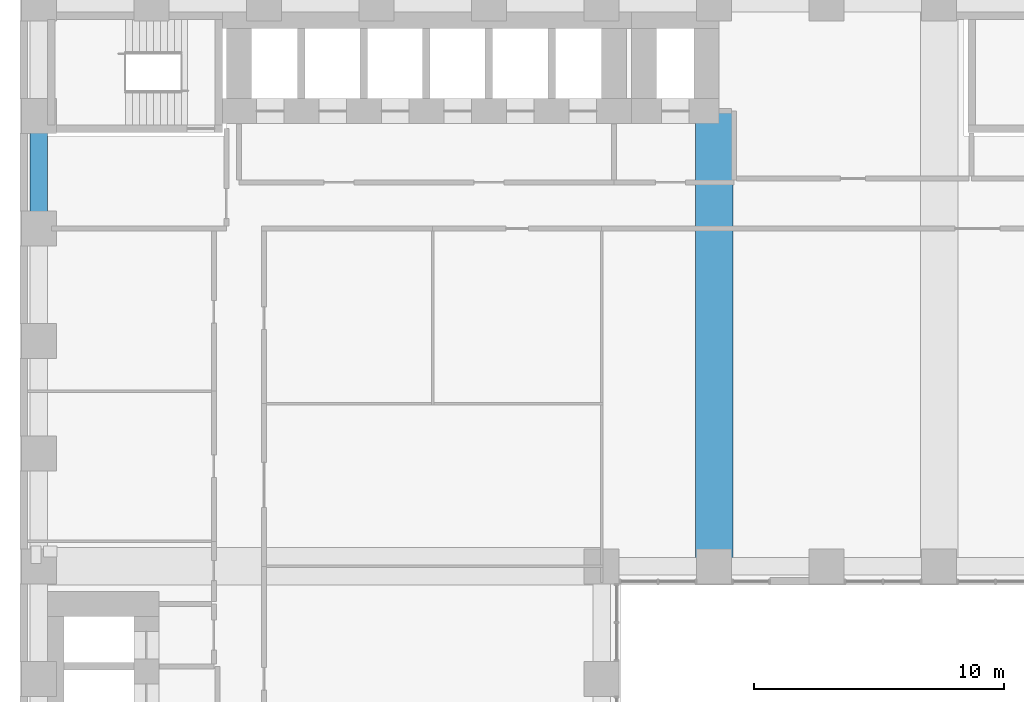
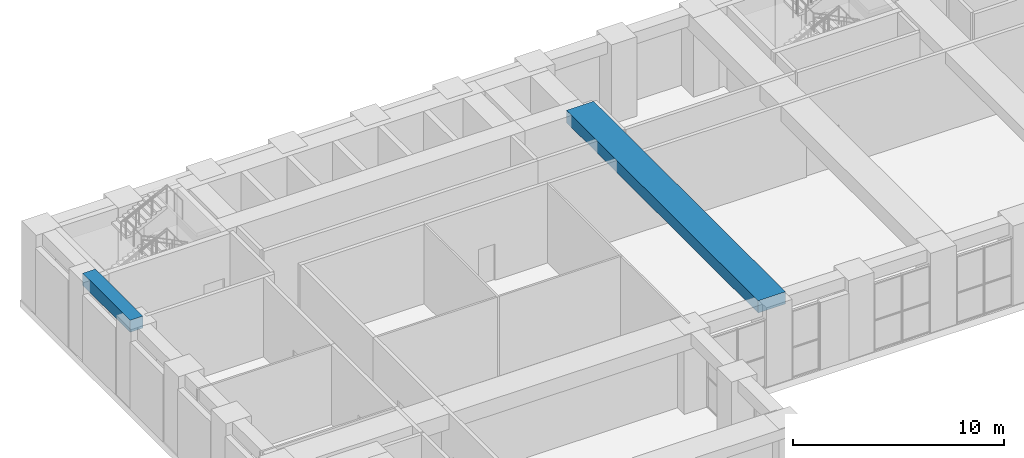
# One storey, part 5 of 34: 2 beams.
"""IFC4 building model written with IfcOpenShell, lengths in metres."""

from ifc_helpers import new_model, si_unit, direction, frame, origin, origin_2d, place, context, subcontext, project, spatial, rectangle, extrude, material, material_profile, profile_set, type_object, element, save


model = new_model("IFC4")

# Units and contexts
model_context = context("Model", 3, precision=1e-05, world=origin(), true_north=direction((0.0, 1.0)))
body_context = subcontext(model_context, "Body", "Model", "MODEL_VIEW")
ifc_project = project(units=[si_unit("LENGTHUNIT", "METRE"), si_unit("AREAUNIT", "SQUARE_METRE"), si_unit("VOLUMEUNIT", "CUBIC_METRE"), si_unit("PLANEANGLEUNIT", "RADIAN"), si_unit("MASSUNIT", "GRAM", prefix="KILO")], contexts=[model_context])

# Site, building, storey
site_placement = place(None, origin())
site = spatial("IfcSite", under=ifc_project, at=site_placement, CompositionType="ELEMENT")
building_placement = place(site_placement, origin())
building = spatial("IfcBuilding", under=site, at=building_placement, Name="Firuza Court", CompositionType="ELEMENT")
storey_placement = place(building_placement, frame((0.0, 0.0, 14.0)))
storey = spatial("IfcBuildingStorey", under=building, at=storey_placement, Name="L02", CompositionType="ELEMENT", Elevation=14.0)

# Beams
ifc_material_1 = material(Name="Concrete C40/50", Category="concrete")
ifc_material_profile_1 = material_profile(ifc_material_1, rectangle(XDim=1.5, YDim=0.699951171875, at=origin_2d()), Name="RC 1500x700")
ifc_profile_set_1 = profile_set([ifc_material_profile_1], Name="Concrete C40/50")
beam_type_1 = type_object("IfcBeamType", Name="Band beam RC 1500x700 C40/50", PredefinedType="BEAM", material=ifc_profile_set_1)
beam_1_placement = place(storey_placement, frame((27.0, 36.0, 4.25), z_axis=(0.0, 1.0, 0.0), x_axis=(-1.0, 0.0, 0.0)))
element("IfcBeam", 1, at=beam_1_placement, inside=storey, type_object=beam_type_1, Name="Band beam FB1 level L03", PredefinedType="BEAM", context=body_context, shape_type="SweptSolid", body=[
    extrude(rectangle(XDim=1.5, YDim=0.699951171875, at=origin_2d()), origin(), (0.0, 0.0, 1.0), 18.199951171875),
])
ifc_material_2 = material(Name="Concrete C40/50", Category="concrete")
ifc_material_profile_2 = material_profile(ifc_material_2, rectangle(XDim=0.699951171875, YDim=0.699951171875, at=origin_2d()), Name="RC 700x700")
ifc_profile_set_2 = profile_set([ifc_material_profile_2], Name="Concrete C40/50")
beam_type_2 = type_object("IfcBeamType", Name="Spandrel beam RC 700x700 C40/50", PredefinedType="BEAM", material=ifc_profile_set_2)
beam_2_placement = place(storey_placement, frame((0.0, 54.0, 4.25), z_axis=(0.0, -1.0, 0.0), x_axis=(1.0, 0.0, 0.0)))
element("IfcBeam", 2, at=beam_2_placement, inside=storey, type_object=beam_type_2, Name="Spandrel beam SP8 level L03", PredefinedType="BEAM", context=body_context, shape_type="SweptSolid", body=[
    extrude(rectangle(XDim=0.699951171875, YDim=0.699951171875, at=origin_2d()), origin(), (0.0, 0.0, 1.0), 4.5),
])

save(model, "model.ifc")
